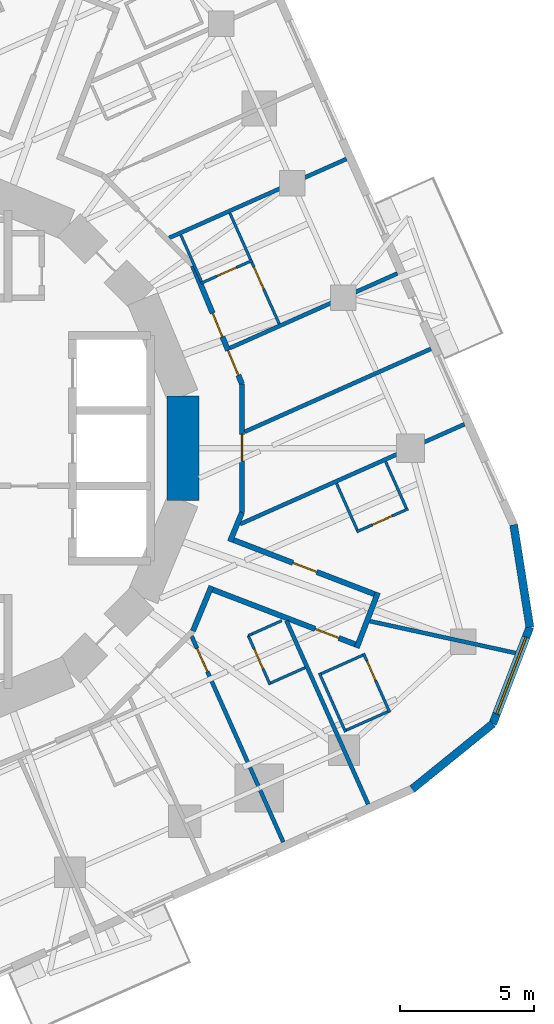
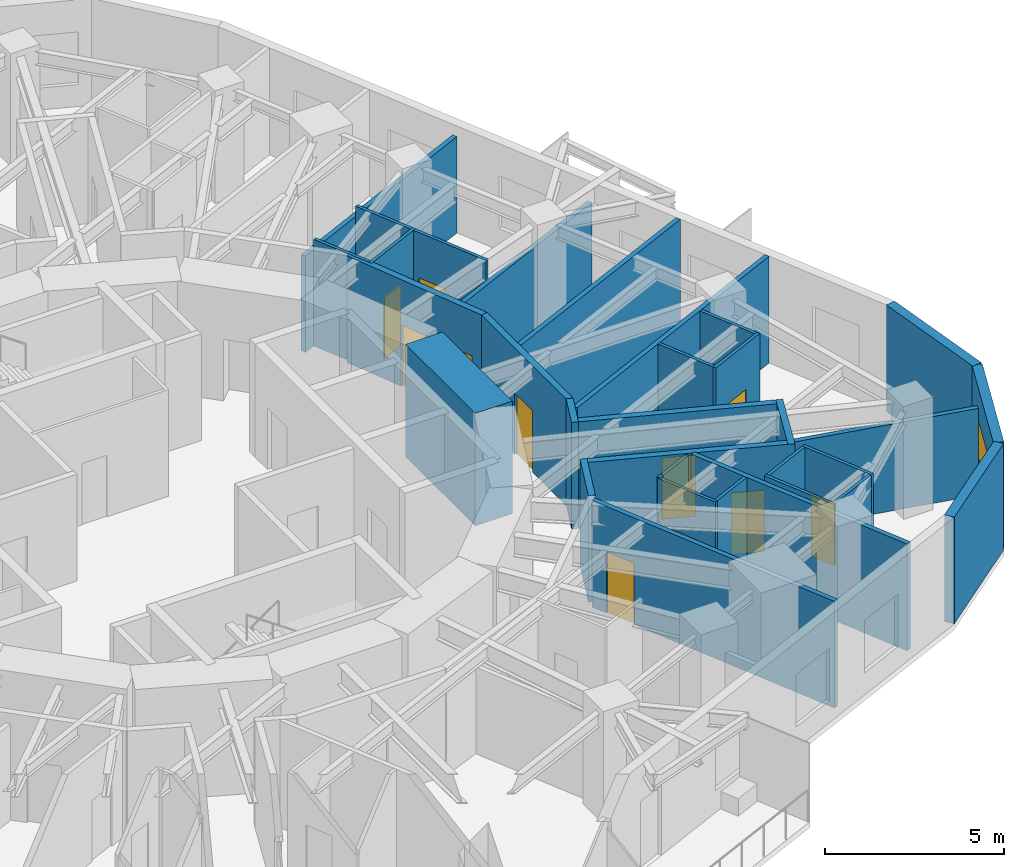
# One storey, part 8 of 12: 33 walls, 11 doors, 1 window, 12 openings.
"""IFC4 building model written with IfcOpenShell, lengths in metres."""

from ifc_helpers import new_model, si_unit, direction, frame, frame_2d, origin, place, context, subcontext, project, spatial, rectangle, extrude, material, layer, layer_set, type_object, element, fill, save


model = new_model("IFC4")

# Units and contexts
model_context = context("Model", 3, precision=1e-05, world=origin(), true_north=direction((0.0, 1.0)))
body_context = subcontext(model_context, "Body", "Model", "MODEL_VIEW")
ifc_project = project(units=[si_unit("LENGTHUNIT", "METRE"), si_unit("AREAUNIT", "SQUARE_METRE"), si_unit("VOLUMEUNIT", "CUBIC_METRE"), si_unit("PLANEANGLEUNIT", "RADIAN"), si_unit("MASSUNIT", "GRAM", prefix="KILO")], contexts=[model_context])

# Site, building, storey
site_placement = place(None, origin())
site = spatial("IfcSite", under=ifc_project, at=site_placement, CompositionType="ELEMENT")
building_placement = place(site_placement, origin())
building = spatial("IfcBuilding", under=site, at=building_placement, Name="Nakasero Lantern House", CompositionType="ELEMENT")
storey_placement = place(building_placement, frame((0.0, 0.0, 197.85009765625)))
storey = spatial("IfcBuildingStorey", under=building, at=storey_placement, Name="L48", CompositionType="ELEMENT", Elevation=197.85009765625)

# Wall
ifc_material_1 = material(Name="Concrete C50/60", Category="concrete")
ifc_layer_1 = layer(ifc_material_1, 1.199951171875)
ifc_layer_set_1 = layer_set([ifc_layer_1], Name="Core wall 1200")
wall_type_1 = type_object("IfcWallType", Name="Core wall 1200", PredefinedType="SHEAR", material=ifc_layer_set_1)
wall_1_placement = place(storey_placement, frame((9.807861328125, -1.950927734375, 0.0), z_axis=(0.0, 0.0, 1.0), x_axis=(0.0, 1.0, 0.0)))
element("IfcWall", 1, at=wall_1_placement, inside=storey, type_object=wall_type_1, Name="Core wall L48 facet 16", PredefinedType="SHEAR", context=body_context, shape_type="SweptSolid", body=[
    extrude(rectangle(XDim=3.90185546875, YDim=1.199951171875, at=frame_2d((1.950927734375, 0.0))), origin(), (0.0, 0.0, 1.0), 3.849853515625),
])

# Wall, opening, door
ifc_material_2 = material(Name="Blockwork", Category="masonry")
ifc_layer_2 = layer(ifc_material_2, 0.199951171875)
ifc_layer_set_2 = layer_set([ifc_layer_2], Name="Corridor wall 200")
wall_type_2 = type_object("IfcWallType", Name="Corridor wall 200", PredefinedType="PARTITIONING", material=ifc_layer_set_2)
wall_2_placement = place(storey_placement, frame((12.0078125, 2.388427734375, 0.0), z_axis=(0.0, 0.0, 1.0), x_axis=(0.0, -1.0, 0.0)))
wall_2 = element("IfcWall", 2, at=wall_2_placement, inside=storey, type_object=wall_type_2, Name="Corridor wall L48 RC00a", PredefinedType="PARTITIONING", context=body_context, shape_type="SweptSolid", body=[
    extrude(rectangle(XDim=4.77685546875, YDim=0.199951171875, at=frame_2d((2.388427734375, 0.0))), origin(), (0.0, 0.0, 1.0), 3.64990234375),
])
opening_1_placement = place(wall_2_placement, frame((1.8701171875, 0.0, 0.0)))
opening_1 = element("IfcOpeningElement", 3, at=opening_1_placement, cuts=wall_2, Name="Opening D03", PredefinedType="OPENING", context=body_context, shape_type="SweptSolid", body=[
    extrude(rectangle(XDim=1.0, YDim=2.10009765625, at=frame_2d((0.5, 1.050048828125))), frame((0.0, 0.119873046875, 0.0), z_axis=(0.0, -1.0, 0.0), x_axis=(1.0, 0.0, 0.0)), (0.0, 0.0, 1.0), 0.239990234375),
])
ifc_material_3 = material(Name="Timber C24", Category="wood")
door_type_1 = type_object("IfcDoorType", Name="Lounge door FD30S 1000", OperationType="SINGLE_SWING_LEFT", PredefinedType="DOOR", material=ifc_material_3)
door_1_placement = place(opening_1_placement, origin())
door_1 = element("IfcDoor", 4, at=door_1_placement, inside=storey, type_object=door_type_1, Name="Door L48 DK0", OperationType="SINGLE_SWING_LEFT", OverallHeight=2.10009765625, OverallWidth=1.0, PredefinedType="DOOR", context=body_context, shape_type="SweptSolid", body=[
    extrude(rectangle(XDim=1.0, YDim=2.10009765625, at=frame_2d((0.5, 1.050048828125))), frame((0.0, 0.02490234375, 0.0), z_axis=(0.0, -1.0, 0.0), x_axis=(1.0, 0.0, 0.0)), (0.0, 0.0, 1.0), 0.050048828125),
])
fill(opening_1, door_1)

# Walls
wall_3_placement = place(storey_placement, frame((12.0078125, -2.388427734375, 0.0), z_axis=(0.0, 0.0, 1.0), x_axis=(-0.382694679749, -0.923874873612, 0.0)))
element("IfcWall", 5, at=wall_3_placement, inside=storey, type_object=wall_type_2, Name="Corridor wall L48 RC01a", PredefinedType="PARTITIONING", context=body_context, shape_type="SweptSolid", body=[
    extrude(rectangle(XDim=1.173828125, YDim=0.199951171875, at=frame_2d((0.5869140625, 0.0))), origin(), (0.0, 0.0, 1.0), 3.64990234375),
])
wall_4_placement = place(storey_placement, frame((10.86962890625, -5.136474609375, 0.0), z_axis=(0.0, 0.0, 1.0), x_axis=(-0.382710605355, -0.923868276622, 0.0)))
element("IfcWall", 6, at=wall_4_placement, inside=storey, type_object=wall_type_2, Name="Corridor wall L48 RC01b", PredefinedType="PARTITIONING", context=body_context, shape_type="SweptSolid", body=[
    extrude(rectangle(XDim=1.802734375, YDim=0.199951171875, at=frame_2d((0.9013671875, 0.0))), origin(), (0.0, 0.0, 1.0), 3.64990234375),
])

# Wall, openings, doors
wall_5_placement = place(storey_placement, frame((10.1796875, 6.802001953125, 0.0), z_axis=(0.0, 0.0, 1.0), x_axis=(0.382676767893, -0.923882292998, 0.0)))
wall_5 = element("IfcWall", 7, at=wall_5_placement, inside=storey, type_object=wall_type_2, Name="Corridor wall L48 RC15a", PredefinedType="PARTITIONING", context=body_context, shape_type="SweptSolid", body=[
    extrude(rectangle(XDim=4.777099609375, YDim=0.199951171875, at=frame_2d((2.388671875, 0.0))), origin(), (0.0, 0.0, 1.0), 3.64990234375),
])
opening_2_placement = place(wall_5_placement, frame((1.919921875, 0.0, 0.0)))
opening_2 = element("IfcOpeningElement", 8, at=opening_2_placement, cuts=wall_5, Name="Opening D01", PredefinedType="OPENING", context=body_context, shape_type="SweptSolid", body=[
    extrude(rectangle(XDim=0.949951171875, YDim=2.10009765625, at=frame_2d((0.47509765625, 1.050048828125))), frame((0.0, 0.119873046875, 0.0), z_axis=(0.0, -1.0, 0.0), x_axis=(1.0, 0.0, 0.0)), (0.0, 0.0, 1.0), 0.239990234375),
])
opening_3_placement = place(wall_5_placement, frame((3.419921875, 0.0, 0.0)))
opening_3 = element("IfcOpeningElement", 9, at=opening_3_placement, cuts=wall_5, Name="Opening D03", PredefinedType="OPENING", context=body_context, shape_type="SweptSolid", body=[
    extrude(rectangle(XDim=1.0, YDim=2.10009765625, at=frame_2d((0.5, 1.050048828125))), frame((0.0, 0.119873046875, 0.0), z_axis=(0.0, -1.0, 0.0), x_axis=(1.0, 0.0, 0.0)), (0.0, 0.0, 1.0), 0.239990234375),
])
ifc_material_4 = material(Name="Timber C24", Category="wood")
door_type_2 = type_object("IfcDoorType", Name="Bedroom door FD30S 950", OperationType="SINGLE_SWING_LEFT", PredefinedType="DOOR", material=ifc_material_4)
door_2_placement = place(opening_2_placement, origin())
door_2 = element("IfcDoor", 10, at=door_2_placement, inside=storey, type_object=door_type_2, Name="Door L48 D0-03", OperationType="SINGLE_SWING_RIGHT", OverallHeight=2.10009765625, OverallWidth=0.949951171875, PredefinedType="DOOR", context=body_context, shape_type="SweptSolid", body=[
    extrude(rectangle(XDim=0.949951171875, YDim=2.10009765625, at=frame_2d((0.47509765625, 1.050048828125))), frame((0.0, 0.02490234375, 0.0), z_axis=(0.0, -1.0, 0.0), x_axis=(1.0, 0.0, 0.0)), (0.0, 0.0, 1.0), 0.050048828125),
])
fill(opening_2, door_2)
door_3_placement = place(opening_3_placement, origin())
door_3 = element("IfcDoor", 11, at=door_3_placement, inside=storey, type_object=door_type_1, Name="Door L48 DK0-1", OperationType="SINGLE_SWING_RIGHT", OverallHeight=2.10009765625, OverallWidth=1.0, PredefinedType="DOOR", context=body_context, shape_type="SweptSolid", body=[
    extrude(rectangle(XDim=1.0, YDim=2.10009765625, at=frame_2d((0.5, 1.050048828125))), frame((0.0, 0.02490234375, 0.0), z_axis=(0.0, -1.0, 0.0), x_axis=(1.0, 0.0, 0.0)), (0.0, 0.0, 1.0), 0.050048828125),
])
fill(opening_3, door_3)

# Wall, opening, door
wall_6_placement = place(storey_placement, frame((10.831298828125, -5.22900390625, 0.0), z_axis=(0.0, 0.0, 1.0), x_axis=(0.933584570174, -0.358357154711, 0.0)))
wall_6 = element("IfcWall", 12, at=wall_6_placement, inside=storey, type_object=wall_type_2, Name="Corridor wall L48 SP3a", PredefinedType="PARTITIONING", context=body_context, shape_type="SweptSolid", body=[
    extrude(rectangle(XDim=5.97216796875, YDim=0.199951171875, at=frame_2d((2.986083984375, 0.0))), origin(), (0.0, 0.0, 1.0), 3.64990234375),
])
opening_4_placement = place(wall_6_placement, frame((4.169921875, 0.0, 0.0)))
opening_4 = element("IfcOpeningElement", 13, at=opening_4_placement, cuts=wall_6, Name="Opening D01", PredefinedType="OPENING", context=body_context, shape_type="SweptSolid", body=[
    extrude(rectangle(XDim=0.949951171875, YDim=2.10009765625, at=frame_2d((0.47509765625, 1.050048828125))), frame((0.0, 0.119873046875, 0.0), z_axis=(0.0, -1.0, 0.0), x_axis=(1.0, 0.0, 0.0)), (0.0, 0.0, 1.0), 0.239990234375),
])
door_4_placement = place(opening_4_placement, origin())
door_4 = element("IfcDoor", 14, at=door_4_placement, inside=storey, type_object=door_type_2, Name="Door L48 D3-06", OperationType="SINGLE_SWING_RIGHT", OverallHeight=2.10009765625, OverallWidth=0.949951171875, PredefinedType="DOOR", context=body_context, shape_type="SweptSolid", body=[
    extrude(rectangle(XDim=0.949951171875, YDim=2.10009765625, at=frame_2d((0.47509765625, 1.050048828125))), frame((0.0, 0.02490234375, 0.0), z_axis=(0.0, -1.0, 0.0), x_axis=(1.0, 0.0, 0.0)), (0.0, 0.0, 1.0), 0.050048828125),
])
fill(opening_4, door_4)

wall_7_placement = place(storey_placement, frame((11.596923828125, -3.380615234375, 0.0), z_axis=(0.0, 0.0, 1.0), x_axis=(0.933582445172, -0.358362690674, 0.0)))
wall_7 = element("IfcWall", 15, at=wall_7_placement, inside=storey, type_object=wall_type_2, Name="Corridor wall L48 SP3b", PredefinedType="PARTITIONING", context=body_context, shape_type="SweptSolid", body=[
    extrude(rectangle(XDim=5.91943359375, YDim=0.199951171875, at=frame_2d((2.959716796875, 0.0))), origin(), (0.0, 0.0, 1.0), 3.64990234375),
])
opening_5_placement = place(wall_7_placement, frame((2.469970703125, 0.0, 0.0)))
opening_5 = element("IfcOpeningElement", 16, at=opening_5_placement, cuts=wall_7, Name="Opening D01", PredefinedType="OPENING", context=body_context, shape_type="SweptSolid", body=[
    extrude(rectangle(XDim=0.949951171875, YDim=2.10009765625, at=frame_2d((0.47509765625, 1.050048828125))), frame((0.0, 0.119873046875, 0.0), z_axis=(0.0, -1.0, 0.0), x_axis=(1.0, 0.0, 0.0)), (0.0, 0.0, 1.0), 0.239990234375),
])
door_5_placement = place(opening_5_placement, origin())
door_5 = element("IfcDoor", 17, at=door_5_placement, inside=storey, type_object=door_type_2, Name="Door L48 D0-00", OperationType="SINGLE_SWING_LEFT", OverallHeight=2.10009765625, OverallWidth=0.949951171875, PredefinedType="DOOR", context=body_context, shape_type="SweptSolid", body=[
    extrude(rectangle(XDim=0.949951171875, YDim=2.10009765625, at=frame_2d((0.47509765625, 1.050048828125))), frame((0.0, 0.02490234375, 0.0), z_axis=(0.0, -1.0, 0.0), x_axis=(1.0, 0.0, 0.0)), (0.0, 0.0, 1.0), 0.050048828125),
])
fill(opening_5, door_5)

# Wall
wall_8_placement = place(storey_placement, frame((16.277587890625, -7.426513671875, 0.0), z_axis=(0.0, 0.0, 1.0), x_axis=(0.358361733464, 0.933582812604, 0.0)))
element("IfcWall", 18, at=wall_8_placement, inside=storey, type_object=wall_type_2, Name="Corridor wall L48 SP3e", PredefinedType="PARTITIONING", context=body_context, shape_type="SweptSolid", body=[
    extrude(rectangle(XDim=2.19970703125, YDim=0.199951171875, at=frame_2d((1.099853515625, 0.0))), origin(), (0.0, 0.0, 1.0), 3.64990234375),
])

# Wall, opening, door
ifc_material_5 = material(Name="Blockwork", Category="masonry")
ifc_layer_3 = layer(ifc_material_5, 0.10009765625)
ifc_layer_set_3 = layer_set([ifc_layer_3], Name="En-suite wall 100")
wall_type_3 = type_object("IfcWallType", Name="En-suite wall 100", PredefinedType="PARTITIONING", material=ifc_layer_set_3)
wall_9_placement = place(storey_placement, frame((16.27197265625, -3.11083984375, 0.0), z_axis=(0.0, 0.0, 1.0), x_axis=(0.913528480824, 0.406774771494, 0.0)))
wall_9 = element("IfcWall", 19, at=wall_9_placement, inside=storey, type_object=wall_type_3, Name="En-suite wall L48 ES0-00", PredefinedType="PARTITIONING", context=body_context, shape_type="SweptSolid", body=[
    extrude(rectangle(XDim=2.10009765625, YDim=0.10009765625, at=frame_2d((1.050048828125, 0.0))), origin(), (0.0, 0.0, 1.0), 3.64990234375),
])
opening_6_placement = place(wall_9_placement, frame((0.64990234375, 0.0, 0.0)))
opening_6 = element("IfcOpeningElement", 20, at=opening_6_placement, cuts=wall_9, Name="Opening D02", PredefinedType="OPENING", context=body_context, shape_type="SweptSolid", body=[
    extrude(rectangle(XDim=0.800048828125, YDim=2.10009765625, at=frame_2d((0.39990234375, 1.050048828125))), frame((0.0, 0.070068359375, 0.0), z_axis=(0.0, -1.0, 0.0), x_axis=(1.0, 0.0, 0.0)), (0.0, 0.0, 1.0), 0.14013671875),
])
ifc_material_6 = material(Name="Timber C24", Category="wood")
door_type_3 = type_object("IfcDoorType", Name="En-suite door 800", OperationType="SINGLE_SWING_RIGHT", PredefinedType="DOOR", material=ifc_material_6)
door_6_placement = place(opening_6_placement, origin())
door_6 = element("IfcDoor", 21, at=door_6_placement, inside=storey, type_object=door_type_3, Name="Door L48 DE0-00", OperationType="SINGLE_SWING_RIGHT", OverallHeight=2.10009765625, OverallWidth=0.800048828125, PredefinedType="DOOR", context=body_context, shape_type="SweptSolid", body=[
    extrude(rectangle(XDim=0.800048828125, YDim=2.10009765625, at=frame_2d((0.39990234375, 1.050048828125))), frame((0.0, 0.02490234375, 0.0), z_axis=(0.0, -1.0, 0.0), x_axis=(1.0, 0.0, 0.0)), (0.0, 0.0, 1.0), 0.050048828125),
])
fill(opening_6, door_6)

# Walls
wall_10_placement = place(storey_placement, frame((18.12451171875, -2.2314453125, 0.0), z_axis=(0.0, 0.0, 1.0), x_axis=(-0.406674880245, 0.913572953725, 0.0)))
element("IfcWall", 22, at=wall_10_placement, inside=storey, type_object=wall_type_3, Name="En-suite wall L48 EE0-00", PredefinedType="PARTITIONING", context=body_context, shape_type="SweptSolid", body=[
    extrude(rectangle(XDim=1.900146484375, YDim=0.10009765625, at=frame_2d((0.9501953125, 0.0))), origin(), (0.0, 0.0, 1.0), 3.64990234375),
])
wall_11_placement = place(storey_placement, frame((16.29736328125, -3.044677734375, 0.0), z_axis=(0.0, 0.0, 1.0), x_axis=(-0.406722623293, 0.913551699523, 0.0)))
element("IfcWall", 23, at=wall_11_placement, inside=storey, type_object=wall_type_3, Name="En-suite wall L48 EI0-00", PredefinedType="PARTITIONING", context=body_context, shape_type="SweptSolid", body=[
    extrude(rectangle(XDim=1.89990234375, YDim=0.10009765625, at=frame_2d((0.949951171875, 0.0))), origin(), (0.0, 0.0, 1.0), 3.64990234375),
])

# Wall, opening, door
wall_12_placement = place(storey_placement, frame((10.475341796875, 6.138916015625, 0.0), z_axis=(0.0, 0.0, 1.0), x_axis=(0.913528480824, 0.406774771494, 0.0)))
wall_12 = element("IfcWall", 24, at=wall_12_placement, inside=storey, type_object=wall_type_3, Name="En-suite wall L48 ES0-03", PredefinedType="PARTITIONING", context=body_context, shape_type="SweptSolid", body=[
    extrude(rectangle(XDim=2.10009765625, YDim=0.10009765625, at=frame_2d((1.050048828125, 0.0))), origin(), (0.0, 0.0, 1.0), 3.64990234375),
])
opening_7_placement = place(wall_12_placement, frame((0.64990234375, 0.0, 0.0)))
opening_7 = element("IfcOpeningElement", 25, at=opening_7_placement, cuts=wall_12, Name="Opening D02", PredefinedType="OPENING", context=body_context, shape_type="SweptSolid", body=[
    extrude(rectangle(XDim=0.800048828125, YDim=2.10009765625, at=frame_2d((0.39990234375, 1.050048828125))), frame((0.0, 0.070068359375, 0.0), z_axis=(0.0, -1.0, 0.0), x_axis=(1.0, 0.0, 0.0)), (0.0, 0.0, 1.0), 0.14013671875),
])
door_7_placement = place(opening_7_placement, origin())
door_7 = element("IfcDoor", 26, at=door_7_placement, inside=storey, type_object=door_type_3, Name="Door L48 DE0-03", OperationType="SINGLE_SWING_LEFT", OverallHeight=2.10009765625, OverallWidth=0.800048828125, PredefinedType="DOOR", context=body_context, shape_type="SweptSolid", body=[
    extrude(rectangle(XDim=0.800048828125, YDim=2.10009765625, at=frame_2d((0.39990234375, 1.050048828125))), frame((0.0, 0.02490234375, 0.0), z_axis=(0.0, -1.0, 0.0), x_axis=(1.0, 0.0, 0.0)), (0.0, 0.0, 1.0), 0.050048828125),
])
fill(opening_7, door_7)

# Walls
for number, where, z_axis, x_axis, name in (
    (27, (12.327880859375, 7.0185546875, 0.0), (0.0, 0.0, 1.0), (-0.406722623293, 0.913551699523, 0.0), "En-suite wall L48 EE0-03"),
    (28, (10.500732421875, 6.205078125, 0.0), (0.0, 0.0, 1.0), (-0.406722623293, 0.913551699523, 0.0), "En-suite wall L48 EI0-03"),
):
    element("IfcWall", number, at=place(storey_placement, frame(where, z_axis=z_axis, x_axis=x_axis)), inside=storey, type_object=wall_type_3, Name=name, PredefinedType="PARTITIONING", context=body_context, shape_type="SweptSolid", body=[
        extrude(rectangle(XDim=1.89990234375, YDim=0.10009765625, at=frame_2d((0.949951171875, 0.0))), origin(), (0.0, 0.0, 1.0), 3.64990234375),
    ])

# Wall, opening, door
wall_13_placement = place(storey_placement, frame((12.23974609375, -6.974853515625, 0.0), z_axis=(0.0, 0.0, 1.0), x_axis=(0.406727323635, -0.913549606868, 0.0)))
wall_13 = element("IfcWall", 29, at=wall_13_placement, inside=storey, type_object=wall_type_3, Name="En-suite wall L48 ES3-05", PredefinedType="PARTITIONING", context=body_context, shape_type="SweptSolid", body=[
    extrude(rectangle(XDim=2.0, YDim=0.10009765625, at=frame_2d((1.0, 0.0))), origin(), (0.0, 0.0, 1.0), 3.64990234375),
])
opening_8_placement = place(wall_13_placement, frame((0.550048828125, 0.0, 0.0)))
opening_8 = element("IfcOpeningElement", 30, at=opening_8_placement, cuts=wall_13, Name="Opening D02", PredefinedType="OPENING", context=body_context, shape_type="SweptSolid", body=[
    extrude(rectangle(XDim=0.800048828125, YDim=2.10009765625, at=frame_2d((0.39990234375, 1.050048828125))), frame((0.0, 0.070068359375, 0.0), z_axis=(0.0, -1.0, 0.0), x_axis=(1.0, 0.0, 0.0)), (0.0, 0.0, 1.0), 0.14013671875),
])
door_8_placement = place(opening_8_placement, origin())
door_8 = element("IfcDoor", 31, at=door_8_placement, inside=storey, type_object=door_type_3, Name="Door L48 DE3-05", OperationType="SINGLE_SWING_LEFT", OverallHeight=2.10009765625, OverallWidth=0.800048828125, PredefinedType="DOOR", context=body_context, shape_type="SweptSolid", body=[
    extrude(rectangle(XDim=0.800048828125, YDim=2.10009765625, at=frame_2d((0.39990234375, 1.050048828125))), frame((0.0, 0.02490234375, 0.0), z_axis=(0.0, -1.0, 0.0), x_axis=(1.0, 0.0, 0.0)), (0.0, 0.0, 1.0), 0.050048828125),
])
fill(opening_8, door_8)

# Wall
wall_14_placement = place(storey_placement, frame((13.07861328125, -8.736083984375, 0.0), z_axis=(0.0, 0.0, 1.0), x_axis=(0.9135164993, 0.406801678348, 0.0)))
element("IfcWall", 32, at=wall_14_placement, inside=storey, type_object=wall_type_3, Name="En-suite wall L48 EE3-05", PredefinedType="PARTITIONING", context=body_context, shape_type="SweptSolid", body=[
    extrude(rectangle(XDim=1.400146484375, YDim=0.10009765625, at=frame_2d((0.7001953125, 0.0))), origin(), (0.0, 0.0, 1.0), 3.64990234375),
])

# Wall, opening, door
wall_15_placement = place(storey_placement, frame((16.530029296875, -7.63720703125, 0.0), z_axis=(0.0, 0.0, 1.0), x_axis=(0.406808500233, -0.913513461389, 0.0)))
wall_15 = element("IfcWall", 33, at=wall_15_placement, inside=storey, type_object=wall_type_3, Name="En-suite wall L48 ES3-06", PredefinedType="PARTITIONING", context=body_context, shape_type="SweptSolid", body=[
    extrude(rectangle(XDim=2.39990234375, YDim=0.10009765625, at=frame_2d((1.199951171875, 0.0))), origin(), (0.0, 0.0, 1.0), 3.64990234375),
])
opening_9_placement = place(wall_15_placement, frame((0.300048828125, 0.0, 0.0)))
opening_9 = element("IfcOpeningElement", 34, at=opening_9_placement, cuts=wall_15, Name="Opening D02", PredefinedType="OPENING", context=body_context, shape_type="SweptSolid", body=[
    extrude(rectangle(XDim=0.800048828125, YDim=2.10009765625, at=frame_2d((0.39990234375, 1.050048828125))), frame((0.0, 0.070068359375, 0.0), z_axis=(0.0, -1.0, 0.0), x_axis=(1.0, 0.0, 0.0)), (0.0, 0.0, 1.0), 0.14013671875),
])
door_9_placement = place(opening_9_placement, origin())
door_9 = element("IfcDoor", 35, at=door_9_placement, inside=storey, type_object=door_type_3, Name="Door L48 DE3-06", OperationType="SINGLE_SWING_LEFT", OverallHeight=2.10009765625, OverallWidth=0.800048828125, PredefinedType="DOOR", context=body_context, shape_type="SweptSolid", body=[
    extrude(rectangle(XDim=0.800048828125, YDim=2.10009765625, at=frame_2d((0.39990234375, 1.050048828125))), frame((0.0, 0.02490234375, 0.0), z_axis=(0.0, -1.0, 0.0), x_axis=(1.0, 0.0, 0.0)), (0.0, 0.0, 1.0), 0.050048828125),
])
fill(opening_9, door_9)

# Walls
wall_16_placement = place(storey_placement, frame((14.8857421875, -8.369384765625, 0.0), z_axis=(0.0, 0.0, 1.0), x_axis=(0.406723602621, -0.913551263516, 0.0)))
element("IfcWall", 36, at=wall_16_placement, inside=storey, type_object=wall_type_3, Name="En-suite wall L48 EV3-06", PredefinedType="PARTITIONING", context=body_context, shape_type="SweptSolid", body=[
    extrude(rectangle(XDim=2.39990234375, YDim=0.10009765625, at=frame_2d((1.199951171875, 0.0))), origin(), (0.0, 0.0, 1.0), 3.64990234375),
])
for number, where, z_axis, x_axis, name in (
    (37, (15.88720703125, -10.495849609375, 0.0), (0.0, 0.0, 1.0), (0.913550776237, 0.406724697108, 0.0), "En-suite wall L48 EE3-06"),
    (38, (14.95166015625, -8.39453125, 0.0), (0.0, 0.0, 1.0), (0.913550776237, 0.406724697108, 0.0), "En-suite wall L48 EI3-06"),
):
    element("IfcWall", number, at=place(storey_placement, frame(where, z_axis=z_axis, x_axis=x_axis)), inside=storey, type_object=wall_type_3, Name=name, PredefinedType="PARTITIONING", context=body_context, shape_type="SweptSolid", body=[
        extrude(rectangle(XDim=1.699951171875, YDim=0.10009765625, at=frame_2d((0.85009765625, 0.0))), origin(), (0.0, 0.0, 1.0), 3.64990234375),
    ])

# Wall, opening, door
wall_17_placement = place(storey_placement, frame((13.3916015625, 4.629150390625, 0.0), z_axis=(0.0, 0.0, 1.0), x_axis=(-0.406696756474, 0.913563215259, 0.0)))
wall_17 = element("IfcWall", 39, at=wall_17_placement, inside=storey, type_object=wall_type_3, Name="En-suite wall L48 EL0-03", PredefinedType="PARTITIONING", context=body_context, shape_type="SweptSolid", body=[
    extrude(rectangle(XDim=2.515380859375, YDim=0.10009765625, at=frame_2d((1.2578125, 0.0))), origin(), (0.0, 0.0, 1.0), 3.64990234375),
])
opening_10_placement = place(wall_17_placement, frame((1.415283203125, 0.0, 0.0)))
opening_10 = element("IfcOpeningElement", 40, at=opening_10_placement, cuts=wall_17, Name="Opening D17", PredefinedType="OPENING", context=body_context, shape_type="SweptSolid", body=[
    extrude(rectangle(XDim=0.89990234375, YDim=2.10009765625, at=frame_2d((0.449951171875, 1.050048828125))), frame((0.0, 0.070068359375, 0.0), z_axis=(0.0, -1.0, 0.0), x_axis=(1.0, 0.0, 0.0)), (0.0, 0.0, 1.0), 0.14013671875),
])
ifc_material_7 = material(Name="Timber C24", Category="wood")
door_type_4 = type_object("IfcDoorType", Name="Bedroom door FD30S 900", OperationType="SINGLE_SWING_LEFT", PredefinedType="DOOR", material=ifc_material_7)
door_10_placement = place(opening_10_placement, origin())
door_10 = element("IfcDoor", 41, at=door_10_placement, inside=storey, type_object=door_type_4, Name="Door L48 DL0-03", OperationType="SINGLE_SWING_RIGHT", OverallHeight=2.10009765625, OverallWidth=0.89990234375, PredefinedType="DOOR", context=body_context, shape_type="SweptSolid", body=[
    extrude(rectangle(XDim=0.89990234375, YDim=2.10009765625, at=frame_2d((0.449951171875, 1.050048828125))), frame((0.0, 0.02490234375, 0.0), z_axis=(0.0, -1.0, 0.0), x_axis=(1.0, 0.0, 0.0)), (0.0, 0.0, 1.0), 0.050048828125),
])
fill(opening_10, door_10)

# Walls
wall_18_placement = place(storey_placement, frame((13.48681640625, -6.419677734375, 0.0), z_axis=(0.0, 0.0, 1.0), x_axis=(-0.913510535277, -0.406815070933, 0.0)))
element("IfcWall", 42, at=wall_18_placement, inside=storey, type_object=wall_type_3, Name="En-suite wall L48 EX003", PredefinedType="PARTITIONING", context=body_context, shape_type="SweptSolid", body=[
    extrude(rectangle(XDim=1.205078125, YDim=0.10009765625, at=frame_2d((0.6025390625, 0.0))), origin(), (0.0, 0.0, 1.0), 3.64990234375),
])
wall_19_placement = place(storey_placement, frame((12.23974609375, -6.974853515625, 0.0), z_axis=(0.0, 0.0, 1.0), x_axis=(0.913937341612, 0.405855313637, 0.0)))
element("IfcWall", 43, at=wall_19_placement, inside=storey, type_object=wall_type_3, Name="En-suite wall L48 ES3-05R0", PredefinedType="PARTITIONING", context=body_context, shape_type="SweptSolid", body=[
    extrude(rectangle(XDim=0.159912109375, YDim=0.10009765625, at=frame_2d((0.080078125, 0.0))), origin(), (0.0, 0.0, 1.0), 3.64990234375),
])
ifc_material_8 = material(Name="Aluminium rainscreen on blockwork", Category="masonry")
ifc_layer_4 = layer(ifc_material_8, 0.300048828125)
ifc_layer_set_4 = layer_set([ifc_layer_4], Name="Facade wall 300")
wall_type_4 = type_object("IfcWallType", Name="Facade wall 300", PredefinedType="SOLIDWALL", material=ifc_layer_set_4)
wall_20_placement = place(storey_placement, frame((18.345458984375, -12.684814453125, 0.0), z_axis=(0.0, 0.0, 1.0), x_axis=(0.777174099125, 0.629285642335, 0.0)))
element("IfcWall", 44, at=wall_20_placement, inside=storey, type_object=wall_type_4, Name="Facade wall L48 FW3C1", PredefinedType="SOLIDWALL", context=body_context, shape_type="SweptSolid", body=[
    extrude(rectangle(XDim=3.8564453125, YDim=0.300048828125, at=frame_2d((1.92822265625, 0.0))), origin(), (0.0, 0.0, 1.0), 3.64990234375),
])

# Wall, opening, window
wall_21_placement = place(storey_placement, frame((21.342529296875, -10.258056640625, 0.0), z_axis=(0.0, 0.0, 1.0), x_axis=(0.358321438858, 0.933598278948, 0.0)))
wall_21 = element("IfcWall", 45, at=wall_21_placement, inside=storey, type_object=wall_type_4, Name="Facade wall L48 FW3C2", PredefinedType="SOLIDWALL", context=body_context, shape_type="SweptSolid", body=[
    extrude(rectangle(XDim=3.8564453125, YDim=0.300048828125, at=frame_2d((1.92822265625, 0.0))), origin(), (0.0, 0.0, 1.0), 3.64990234375),
])
opening_11_placement = place(wall_21_placement, frame((0.39990234375, 0.0, 0.75)))
opening_11 = element("IfcOpeningElement", 46, at=opening_11_placement, cuts=wall_21, Name="Opening W230", PredefinedType="OPENING", context=body_context, shape_type="SweptSolid", body=[
    extrude(rectangle(XDim=3.055908203125, YDim=1.800048828125, at=frame_2d((1.52783203125, 0.89990234375))), frame((0.0, 0.169921875, 0.0), z_axis=(0.0, -1.0, 0.0), x_axis=(1.0, 0.0, 0.0)), (0.0, 0.0, 1.0), 0.340087890625),
])
ifc_material_9 = material(Name="Aluminium 6063-T6 and glass", Category="aluminium")
window_type = type_object("IfcWindowType", Name="Corner window 3056x1800", PartitioningType="SINGLE_PANEL", PredefinedType="WINDOW", material=ifc_material_9)
window_placement = place(opening_11_placement, origin())
window = element("IfcWindow", 47, at=window_placement, inside=storey, type_object=window_type, Name="Window L48 WC3", OverallHeight=1.800048828125, OverallWidth=3.055908203125, PartitioningType="SINGLE_PANEL", PredefinedType="WINDOW", context=body_context, shape_type="SweptSolid", body=[
    extrude(rectangle(XDim=3.055908203125, YDim=1.800048828125, at=frame_2d((1.52783203125, 0.89990234375))), frame((0.0, 0.030029296875, 0.0), z_axis=(0.0, -1.0, 0.0), x_axis=(1.0, 0.0, 0.0)), (0.0, 0.0, 1.0), 0.06005859375),
])
fill(opening_11, window)

# Walls
wall_22_placement = place(storey_placement, frame((22.724365234375, -6.65771484375, 0.0), z_axis=(0.0, 0.0, 1.0), x_axis=(-0.156437203878, 0.987687906802, 0.0)))
element("IfcWall", 48, at=wall_22_placement, inside=storey, type_object=wall_type_4, Name="Facade wall L48 FW3C3", PredefinedType="SOLIDWALL", context=body_context, shape_type="SweptSolid", body=[
    extrude(rectangle(XDim=3.856201171875, YDim=0.300048828125, at=frame_2d((1.92822265625, 0.0))), origin(), (0.0, 0.0, 1.0), 3.64990234375),
])
ifc_material_10 = material(Name="Blockwork", Category="masonry")
ifc_layer_5 = layer(ifc_material_10, 0.14990234375)
ifc_layer_set_5 = layer_set([ifc_layer_5], Name="Party wall 150")
wall_type_5 = type_object("IfcWallType", Name="Party wall 150", PredefinedType="PARTITIONING", material=ifc_layer_set_5)
wall_23_placement = place(storey_placement, frame((11.935302734375, -2.824951171875, 0.0), z_axis=(0.0, 0.0, 1.0), x_axis=(0.91355156837, 0.40672291788, 0.0)))
element("IfcWall", 49, at=wall_23_placement, inside=storey, type_object=wall_type_5, Name="Party wall L48 PW0-01", PredefinedType="PARTITIONING", context=body_context, shape_type="SweptSolid", body=[
    extrude(rectangle(XDim=9.1455078125, YDim=0.14990234375, at=frame_2d((4.57275390625, 0.0))), origin(), (0.0, 0.0, 1.0), 3.64990234375),
])
wall_24_placement = place(storey_placement, frame((12.10791015625, 0.61376953125, 0.0), z_axis=(0.0, 0.0, 1.0), x_axis=(0.913552679772, 0.406720421521, 0.0)))
element("IfcWall", 50, at=wall_24_placement, inside=storey, type_object=wall_type_5, Name="Party wall L48 PW0-02", PredefinedType="PARTITIONING", context=body_context, shape_type="SweptSolid", body=[
    extrude(rectangle(XDim=7.589111328125, YDim=0.14990234375, at=frame_2d((3.79443359375, 0.0))), origin(), (0.0, 0.0, 1.0), 3.64990234375),
])
wall_25_placement = place(storey_placement, frame((11.559814453125, 3.7314453125, 0.0), z_axis=(0.0, 0.0, 1.0), x_axis=(0.913544226514, 0.406739408224, 0.0)))
element("IfcWall", 51, at=wall_25_placement, inside=storey, type_object=wall_type_5, Name="Party wall L48 PW0-03", PredefinedType="PARTITIONING", context=body_context, shape_type="SweptSolid", body=[
    extrude(rectangle(XDim=6.82177734375, YDim=0.14990234375, at=frame_2d((3.410888671875, 0.0))), origin(), (0.0, 0.0, 1.0), 2.96630859375),
])
wall_26_placement = place(storey_placement, frame((9.293701171875, 7.829345703125, 0.0), z_axis=(0.0, 0.0, 1.0), x_axis=(0.913535447493, 0.406759125496, 0.0)))
element("IfcWall", 52, at=wall_26_placement, inside=storey, type_object=wall_type_5, Name="Party wall L48 PW0-04", PredefinedType="PARTITIONING", context=body_context, shape_type="SweptSolid", body=[
    extrude(rectangle(XDim=7.225341796875, YDim=0.14990234375, at=frame_2d((3.61279296875, 0.0))), origin(), (0.0, 0.0, 1.0), 3.294921875),
])

# Wall, opening, door
wall_27_placement = place(storey_placement, frame((10.130615234375, -6.99267578125, 0.0), z_axis=(0.0, 0.0, 1.0), x_axis=(0.406732255089, -0.913547411288, 0.0)))
wall_27 = element("IfcWall", 53, at=wall_27_placement, inside=storey, type_object=wall_type_5, Name="Party wall L48 PW3-05", PredefinedType="PARTITIONING", context=body_context, shape_type="SweptSolid", body=[
    extrude(rectangle(XDim=8.3916015625, YDim=0.14990234375, at=frame_2d((4.19580078125, 0.0))), origin(), (0.0, 0.0, 1.0), 3.64990234375),
])
opening_12_placement = place(wall_27_placement, frame((0.5, 0.0, 0.0)))
opening_12 = element("IfcOpeningElement", 54, at=opening_12_placement, cuts=wall_27, Name="Opening D01", PredefinedType="OPENING", context=body_context, shape_type="SweptSolid", body=[
    extrude(rectangle(XDim=0.949951171875, YDim=2.10009765625, at=frame_2d((0.47509765625, 1.050048828125))), frame((0.0, 0.094970703125, 0.0), z_axis=(0.0, -1.0, 0.0), x_axis=(1.0, 0.0, 0.0)), (0.0, 0.0, 1.0), 0.18994140625),
])
door_11_placement = place(opening_12_placement, origin())
door_11 = element("IfcDoor", 55, at=door_11_placement, inside=storey, type_object=door_type_2, Name="Door L48 DS3-05", OperationType="SINGLE_SWING_LEFT", OverallHeight=2.10009765625, OverallWidth=0.949951171875, PredefinedType="DOOR", context=body_context, shape_type="SweptSolid", body=[
    extrude(rectangle(XDim=0.949951171875, YDim=2.10009765625, at=frame_2d((0.47509765625, 1.050048828125))), frame((0.0, 0.02490234375, 0.0), z_axis=(0.0, -1.0, 0.0), x_axis=(1.0, 0.0, 0.0)), (0.0, 0.0, 1.0), 0.050048828125),
])
fill(opening_12, door_11)

# Walls
wall_28_placement = place(storey_placement, frame((13.663330078125, -6.423095703125, 0.0), z_axis=(0.0, 0.0, 1.0), x_axis=(0.406735380252, -0.913546019887, 0.0)))
element("IfcWall", 56, at=wall_28_placement, inside=storey, type_object=wall_type_5, Name="Party wall L48 PW3-06", PredefinedType="PARTITIONING", context=body_context, shape_type="SweptSolid", body=[
    extrude(rectangle(XDim=7.474853515625, YDim=0.14990234375, at=frame_2d((3.7373046875, 0.0))), origin(), (0.0, 0.0, 1.0), 3.64990234375),
])
wall_29_placement = place(storey_placement, frame((16.76513671875, -6.435546875, 0.0), z_axis=(0.0, 0.0, 1.0), x_axis=(0.976891696422, -0.213734913997, 0.0)))
element("IfcWall", 57, at=wall_29_placement, inside=storey, type_object=wall_type_5, Name="Party wall L48 PW0-00", PredefinedType="PARTITIONING", context=body_context, shape_type="SweptSolid", body=[
    extrude(rectangle(XDim=5.55126953125, YDim=0.14990234375, at=frame_2d((2.775634765625, 0.0))), origin(), (0.0, 0.0, 1.0), 2.96630859375),
])

save(model, "model.ifc")
